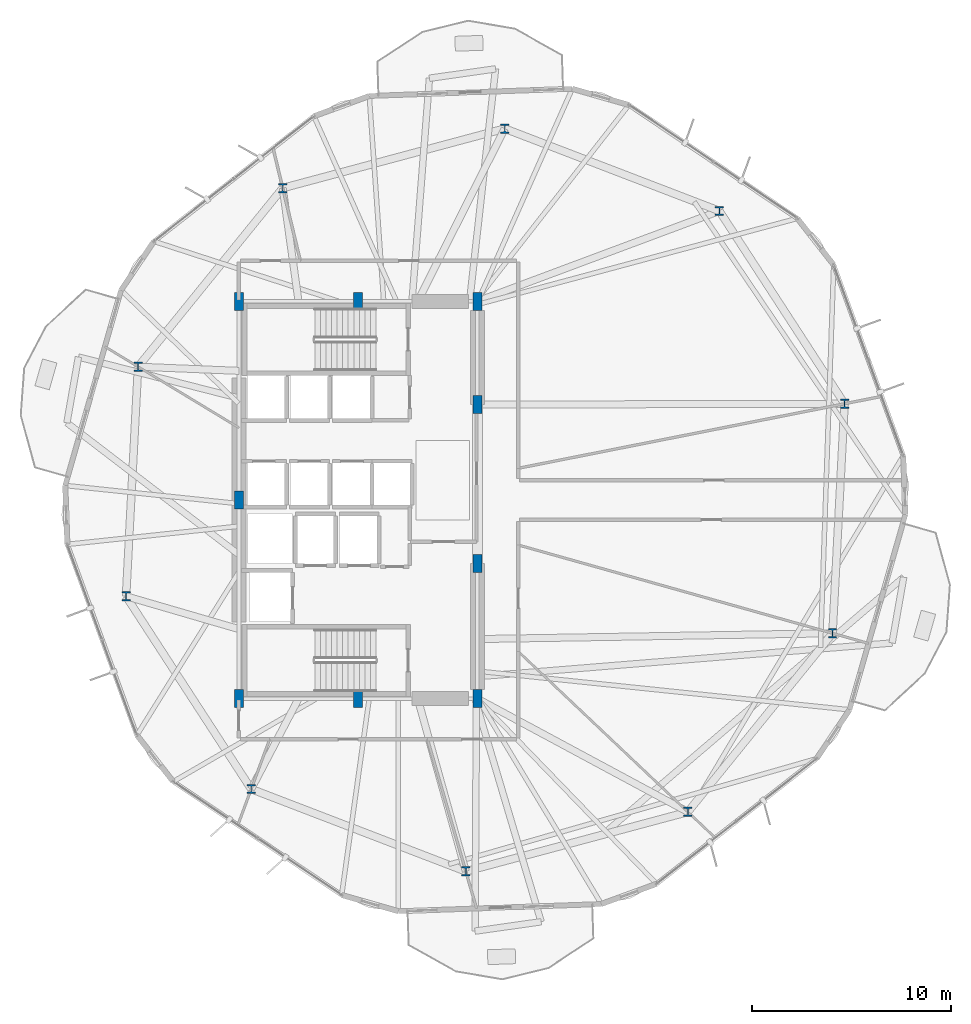
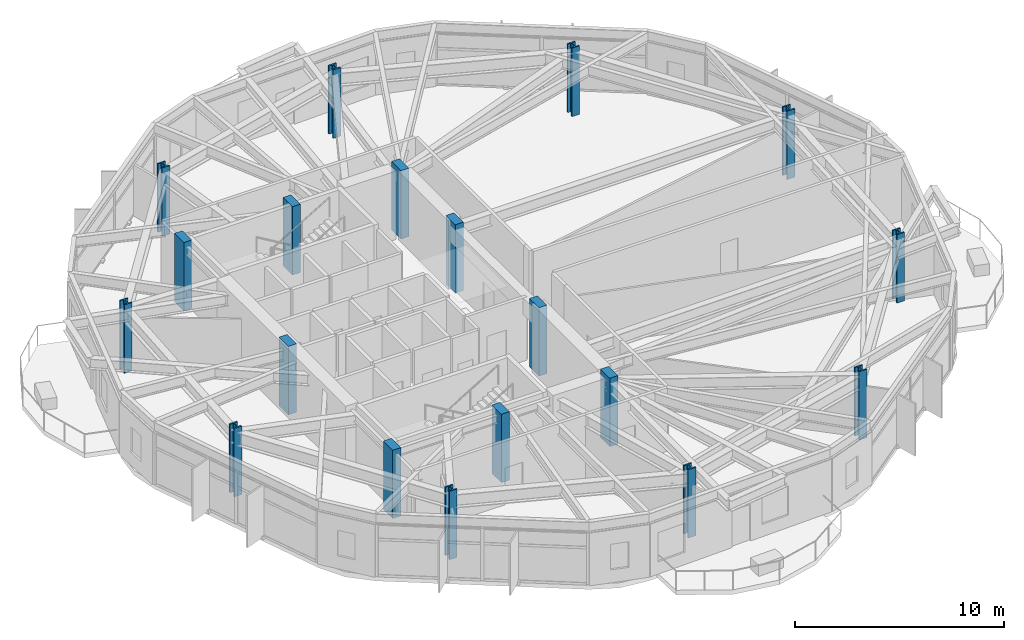
# One storey, part 1 of 21: 19 columns.
"""IFC4 building model written with IfcOpenShell, lengths in metres."""

from ifc_helpers import new_model, si_unit, direction, frame, origin, origin_2d, place, context, subcontext, project, spatial, rectangle, i_section, extrude, material, material_profile, profile_set, type_object, element, save


model = new_model("IFC4")

# Units and contexts
model_context = context("Model", 3, precision=1e-05, world=origin(), true_north=direction((0.0, 1.0)))
body_context = subcontext(model_context, "Body", "Model", "MODEL_VIEW")
ifc_project = project(units=[si_unit("LENGTHUNIT", "METRE"), si_unit("AREAUNIT", "SQUARE_METRE"), si_unit("VOLUMEUNIT", "CUBIC_METRE"), si_unit("PLANEANGLEUNIT", "RADIAN"), si_unit("MASSUNIT", "GRAM", prefix="KILO")], contexts=[model_context])

# Site, building, storey
site_placement = place(None, origin())
site = spatial("IfcSite", under=ifc_project, at=site_placement, CompositionType="ELEMENT")
building_placement = place(site_placement, origin())
building = spatial("IfcBuilding", under=site, at=building_placement, Name="Soratama Intermodal Tower", CompositionType="ELEMENT")
storey_placement = place(building_placement, frame((0.0, 0.0, 34.60009765625)))
storey = spatial("IfcBuildingStorey", under=building, at=storey_placement, Name="L07", CompositionType="ELEMENT", Elevation=34.60009765625)

# Columns
ifc_material_1 = material(Name="Structural steel ASTM A992 Grade 50", Category="steel")
ifc_material_profile_1 = material_profile(ifc_material_1, i_section(OverallWidth=0.424072265625, OverallDepth=0.47412109375, WebThickness=0.047607421875, FlangeThickness=0.0771484375, FilletRadius=0.0380859375, at=origin_2d()), Name="W14X426")
ifc_profile_set_1 = profile_set([ifc_material_profile_1], Name="Structural steel ASTM A992 Grade 50")
column_type_1 = type_object("IfcColumnType", Name="COL-ZA-W14X426", PredefinedType="COLUMN", material=ifc_profile_set_1)
for number, where, z_axis, x_axis, name in (
    (1, (63.08203125, 29.84521484375, 0.0), (0.0, 0.0, 1.0), (1.0, 0.0, 0.0), "L07 Tower Ring Column R01"),
    (2, (56.781005859375, 39.548095703125, 0.0), (0.0, 0.0, 1.0), (1.0, 0.0, 0.0), "L07 Tower Ring Column R02"),
    (3, (45.979736328125, 43.6943359375, 0.0), (0.0, 0.0, 1.0), (1.0, 0.0, 0.0), "L07 Tower Ring Column R03"),
    (4, (34.804443359375, 40.699951171875, 0.0), (0.0, 0.0, 1.0), (1.0, 0.0, 0.0), "L07 Tower Ring Column R04"),
    (5, (27.5234375, 31.70849609375, 0.0), (0.0, 0.0, 1.0), (1.0, 0.0, 0.0), "L07 Tower Ring Column R05"),
    (6, (26.91796875, 20.15478515625, 0.0), (0.0, 0.0, 1.0), (1.0, 0.0, 0.0), "L07 Tower Ring Column R06"),
    (7, (33.218994140625, 10.451904296875, 0.0), (0.0, 0.0, 1.0), (1.0, 0.0, 0.0), "L07 Tower Ring Column R07"),
    (8, (44.020263671875, 6.3056640625, 0.0), (0.0, 0.0, 1.0), (1.0, 0.0, 0.0), "L07 Tower Ring Column R08"),
    (9, (55.195556640625, 9.300048828125, 0.0), (0.0, 0.0, 1.0), (1.0, 0.0, 0.0), "L07 Tower Ring Column R09"),
    (10, (62.4765625, 18.29150390625, 0.0), (0.0, 0.0, 1.0), (1.0, 0.0, 0.0), "L07 Tower Ring Column R10"),
):
    element("IfcColumn", number, at=place(storey_placement, frame(where, z_axis=z_axis, x_axis=x_axis)), inside=storey, type_object=column_type_1, Name=name, PredefinedType="COLUMN", context=body_context, shape_type="SweptSolid", body=[
        extrude(i_section(OverallWidth=0.424072265625, OverallDepth=0.47412109375, WebThickness=0.047607421875, FlangeThickness=0.0771484375, FilletRadius=0.0380859375, at=origin_2d()), origin(), (0.0, 0.0, 1.0), 4.0),
    ])
ifc_material_2 = material(Name="Concrete f'c 56 MPa", Category="concrete")
ifc_material_profile_2 = material_profile(ifc_material_2, rectangle(XDim=0.449951171875, YDim=0.89990234375, at=origin_2d()), Name="RC450X900")
ifc_profile_set_2 = profile_set([ifc_material_profile_2], Name="Concrete f'c 56 MPa")
column_type_2 = type_object("IfcColumnType", Name="PIL-CORE-450X900", PredefinedType="PILASTER", material=ifc_profile_set_2)
for number, where, z_axis, x_axis, name in (
    (11, (32.60009765625, 15.0, 0.0), (0.0, 0.0, 1.0), (1.0, 0.0, 0.0), "L07 Core Pilaster 1"),
    (12, (32.60009765625, 25.0, 0.0), (0.0, 0.0, 1.0), (1.0, 0.0, 0.0), "L07 Core Pilaster 2"),
    (13, (32.60009765625, 35.0, 0.0), (0.0, 0.0, 1.0), (1.0, 0.0, 0.0), "L07 Core Pilaster 3"),
    (14, (38.60009765625, 15.0, 0.0), (0.0, 0.0, 1.0), (1.0, 0.0, 0.0), "L07 Core Pilaster 4"),
    (15, (38.60009765625, 35.0, 0.0), (0.0, 0.0, 1.0), (1.0, 0.0, 0.0), "L07 Core Pilaster 5"),
    (16, (44.60009765625, 15.0, 0.0), (0.0, 0.0, 1.0), (1.0, 0.0, 0.0), "L07 Core Pilaster 6"),
    (17, (44.60009765625, 21.800048828125, 0.0), (0.0, 0.0, 1.0), (1.0, 0.0, 0.0), "L07 Core Pilaster 7"),
    (18, (44.60009765625, 29.800048828125, 0.0), (0.0, 0.0, 1.0), (1.0, 0.0, 0.0), "L07 Core Pilaster 8"),
    (19, (44.60009765625, 35.0, 0.0), (0.0, 0.0, 1.0), (1.0, 0.0, 0.0), "L07 Core Pilaster 9"),
):
    element("IfcColumn", number, at=place(storey_placement, frame(where, z_axis=z_axis, x_axis=x_axis)), inside=storey, type_object=column_type_2, Name=name, PredefinedType="PILASTER", context=body_context, shape_type="SweptSolid", body=[
        extrude(rectangle(XDim=0.449951171875, YDim=0.89990234375, at=origin_2d()), origin(), (0.0, 0.0, 1.0), 4.0),
    ])

save(model, "model.ifc")
